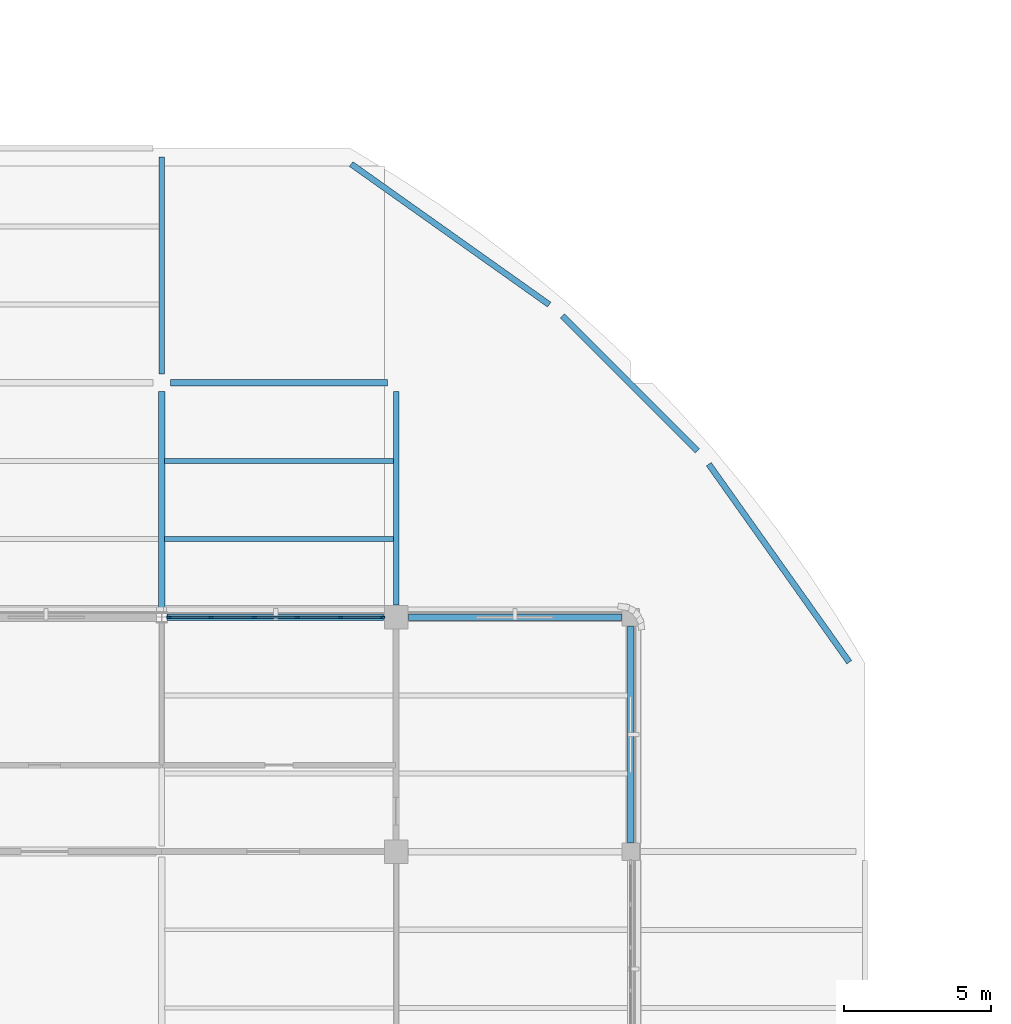
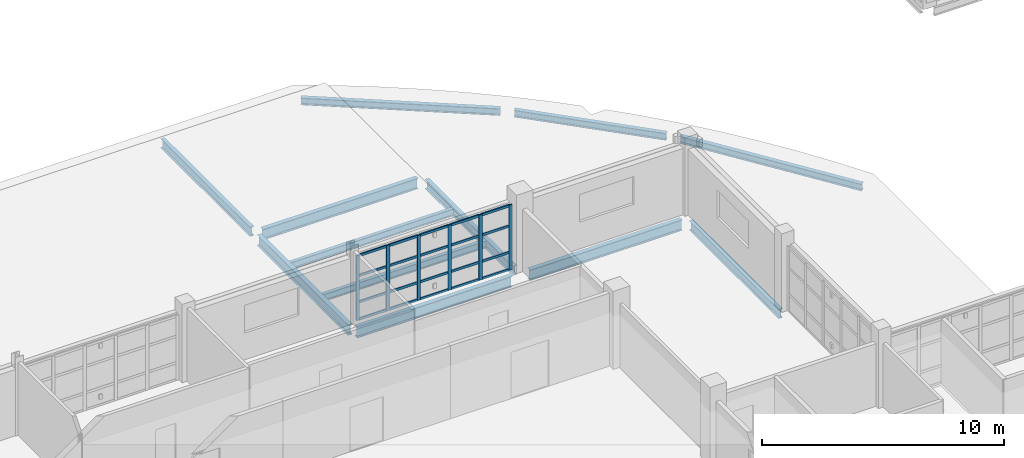
# One storey, part 43 of 126: 26 members, 12 beams, 1 element without a shape of its own.
"""IFC4 building model written with IfcOpenShell, lengths in metres."""

from ifc_helpers import new_model, si_unit, derived_unit, direction, frame, origin, origin_2d, place, context, subcontext, project, spatial, rectangle, i_section, extrude, material, layer, layer_set, material_profile, profile_set, type_object, element, aggregate, save


model = new_model("IFC4")

# Units and contexts
model_context = context("Model", 3, precision=1e-05, world=origin(), true_north=direction((0.0, 1.0)))
body_context = subcontext(model_context, "Body", "Model", "MODEL_VIEW")
ifc_project = project(units=[si_unit("LENGTHUNIT", "METRE"), si_unit("AREAUNIT", "SQUARE_METRE"), si_unit("VOLUMEUNIT", "CUBIC_METRE"), si_unit("PLANEANGLEUNIT", "RADIAN"), si_unit("MASSUNIT", "GRAM", prefix="KILO"), derived_unit("THERMALTRANSMITTANCEUNIT", [(si_unit("MASSUNIT", "GRAM", prefix="KILO"), 1), (si_unit("TIMEUNIT", "SECOND"), -3), (si_unit("THERMODYNAMICTEMPERATUREUNIT", "KELVIN"), -1)])], contexts=[model_context])

# Site, building, storey
site_placement = place(None, origin())
site = spatial("IfcSite", under=ifc_project, at=site_placement, CompositionType="ELEMENT")
building_placement = place(site_placement, origin())
building = spatial("IfcBuilding", under=site, at=building_placement, Name="Veyamyaing Civic Hall", CompositionType="ELEMENT")
storey_placement = place(building_placement, frame((0.0, 0.0, 9.89990234375)))
storey = spatial("IfcBuildingStorey", under=building, at=storey_placement, Name="L02", CompositionType="ELEMENT", Elevation=9.89990234375)

# Beams
ifc_material_1 = material(Name="Steel ASTM A992", Category="steel")
ifc_material_profile_1 = material_profile(ifc_material_1, i_section(OverallWidth=0.2041015625, OverallDepth=0.35009765625, WebThickness=0.0078125, FlangeThickness=0.01513671875, FilletRadius=0.010009765625, at=origin_2d()), Name="W360X72")
ifc_profile_set_1 = profile_set([ifc_material_profile_1], Name="Steel ASTM A992")
beam_type_1 = type_object("IfcBeamType", Name="B-11", PredefinedType="SPANDREL", material=ifc_profile_set_1)
beam_1_placement = place(storey_placement, frame((119.462646484375, 78.46533203125, -0.4599609375), z_axis=(-0.578662285773, 0.815567262109, 0.0), x_axis=(-0.815567262109, -0.578662285773, 0.0)))
element("IfcBeam", 1, at=beam_1_placement, inside=storey, type_object=beam_type_1, Name="Curved corner spandrel B-11 L02 NE.1", PredefinedType="SPANDREL", context=body_context, shape_type="SweptSolid", body=[
    extrude(i_section(OverallWidth=0.2041015625, OverallDepth=0.35009765625, WebThickness=0.0078125, FlangeThickness=0.01513671875, FilletRadius=0.010009765625, at=origin_2d()), origin(), (0.0, 0.0, 1.0), 8.284423828125),
])
beam_2_placement = place(storey_placement, frame((114.282958984375, 85.6787109375, -0.4599609375), z_axis=(-0.707106781187, 0.707106781187, 0.0), x_axis=(-0.707106781187, -0.707106781187, 0.0)))
element("IfcBeam", 2, at=beam_2_placement, inside=storey, type_object=beam_type_1, Name="Curved corner spandrel B-11 L02 NE.2", PredefinedType="SPANDREL", context=body_context, shape_type="SweptSolid", body=[
    extrude(i_section(OverallWidth=0.2041015625, OverallDepth=0.35009765625, WebThickness=0.0078125, FlangeThickness=0.01513671875, FilletRadius=0.010009765625, at=origin_2d()), origin(), (0.0, 0.0, 1.0), 6.511474609375),
])
beam_3_placement = place(storey_placement, frame((109.221923828125, 90.668701171875, -0.4599609375), z_axis=(-0.815567262109, 0.578662285773, 0.0), x_axis=(-0.578662285773, -0.815567262109, 0.0)))
element("IfcBeam", 3, at=beam_3_placement, inside=storey, type_object=beam_type_1, Name="Curved corner spandrel B-11 L02 NE.3", PredefinedType="SPANDREL", context=body_context, shape_type="SweptSolid", body=[
    extrude(i_section(OverallWidth=0.2041015625, OverallDepth=0.35009765625, WebThickness=0.0078125, FlangeThickness=0.01513671875, FilletRadius=0.010009765625, at=origin_2d()), origin(), (0.0, 0.0, 1.0), 8.284423828125),
])
ifc_material_profile_2 = material_profile(ifc_material_1, i_section(OverallWidth=0.214111328125, OverallDepth=0.549072265625, WebThickness=0.0146484375, FlangeThickness=0.023681640625, FilletRadius=0.011962890625, at=origin_2d()), Name="W530X138")
ifc_profile_set_2 = profile_set([ifc_material_profile_2], Name="Steel ASTM A992")
beam_type_2 = type_object("IfcBeamType", Name="B-16", PredefinedType="BEAM", material=ifc_profile_set_2)
beam_4_placement = place(storey_placement, frame((96.18701171875, 80.0, -0.559326171875), z_axis=(1.0, 0.0, 0.0), x_axis=(0.0, 1.0, 0.0)))
element("IfcBeam", 4, at=beam_4_placement, inside=storey, type_object=beam_type_2, Name="Girder B-16 L02 Grid L 13-14", PredefinedType="BEAM", context=body_context, shape_type="SweptSolid", body=[
    extrude(i_section(OverallWidth=0.214111328125, OverallDepth=0.549072265625, WebThickness=0.0146484375, FlangeThickness=0.023681640625, FilletRadius=0.011962890625, at=origin_2d()), origin(), (0.0, 0.0, 1.0), 7.387939453125),
])
ifc_material_profile_3 = material_profile(ifc_material_1, i_section(OverallWidth=0.2109375, OverallDepth=0.5390625, WebThickness=0.01171875, FlangeThickness=0.018798828125, FilletRadius=0.011962890625, at=origin_2d()), Name="W530X109")
ifc_profile_set_3 = profile_set([ifc_material_profile_3], Name="Steel ASTM A992")
beam_type_3 = type_object("IfcBeamType", Name="B-17", PredefinedType="BEAM", material=ifc_profile_set_3)
beam_5_placement = place(storey_placement, frame((104.425048828125, 80.0, -0.554443359375), z_axis=(1.0, 0.0, 0.0), x_axis=(0.0, 1.0, 0.0)))
element("IfcBeam", 5, at=beam_5_placement, inside=storey, type_object=beam_type_3, Name="Girder B-17 L02 Grid L 14-15", PredefinedType="BEAM", context=body_context, shape_type="SweptSolid", body=[
    extrude(i_section(OverallWidth=0.2109375, OverallDepth=0.5390625, WebThickness=0.01171875, FlangeThickness=0.018798828125, FilletRadius=0.011962890625, at=origin_2d()), origin(), (0.0, 0.0, 1.0), 7.27490234375),
])
beam_6_placement = place(storey_placement, frame((96.300048828125, 88.0, -0.509521484375), z_axis=(1.0, 0.0, 0.0), x_axis=(0.0, 1.0, 0.0)))
element("IfcBeam", 6, at=beam_6_placement, inside=storey, type_object=beam_type_3, Name="Girder B-17 L02 Grid M 13-14", PredefinedType="BEAM", context=body_context, shape_type="SweptSolid", body=[
    extrude(i_section(OverallWidth=0.2109375, OverallDepth=0.5390625, WebThickness=0.01171875, FlangeThickness=0.018798828125, FilletRadius=0.011962890625, at=origin_2d()), origin(), (0.0, 0.0, 1.0), 7.39990234375),
])
beam_7_placement = place(storey_placement, frame((96.0, 80.18603515625, -0.509521484375), z_axis=(0.0, 1.0, 0.0), x_axis=(-1.0, 0.0, 0.0)))
element("IfcBeam", 7, at=beam_7_placement, inside=storey, type_object=beam_type_3, Name="Girder B-17 L02 Grid 13 L-M", PredefinedType="BEAM", context=body_context, shape_type="SweptSolid", body=[
    extrude(i_section(OverallWidth=0.2109375, OverallDepth=0.5390625, WebThickness=0.01171875, FlangeThickness=0.018798828125, FilletRadius=0.011962890625, at=origin_2d()), origin(), (0.0, 0.0, 1.0), 7.513916015625),
])
ifc_material_profile_4 = material_profile(ifc_material_1, i_section(OverallWidth=0.194091796875, OverallDepth=0.468994140625, WebThickness=0.0126953125, FlangeThickness=0.0205078125, FilletRadius=0.010009765625, at=origin_2d()), Name="W460X106")
ifc_profile_set_4 = profile_set([ifc_material_profile_4], Name="Steel ASTM A992")
beam_type_4 = type_object("IfcBeamType", Name="B-18", PredefinedType="BEAM", material=ifc_profile_set_4)
beam_8_placement = place(storey_placement, frame((96.0, 88.300048828125, -0.474365234375), z_axis=(0.0, 1.0, 0.0), x_axis=(-1.0, 0.0, 0.0)))
element("IfcBeam", 8, at=beam_8_placement, inside=storey, type_object=beam_type_4, Name="Girder B-18 L02 Grid 13 M-N", PredefinedType="BEAM", context=body_context, shape_type="SweptSolid", body=[
    extrude(i_section(OverallWidth=0.194091796875, OverallDepth=0.468994140625, WebThickness=0.0126953125, FlangeThickness=0.0205078125, FilletRadius=0.010009765625, at=origin_2d()), origin(), (0.0, 0.0, 1.0), 7.39990234375),
])
beam_9_placement = place(storey_placement, frame((104.0, 80.425048828125, -0.474365234375), z_axis=(0.0, 1.0, 0.0), x_axis=(-1.0, 0.0, 0.0)))
element("IfcBeam", 9, at=beam_9_placement, inside=storey, type_object=beam_type_4, Name="Girder B-18 L02 Grid 14 L-M", PredefinedType="BEAM", context=body_context, shape_type="SweptSolid", body=[
    extrude(i_section(OverallWidth=0.194091796875, OverallDepth=0.468994140625, WebThickness=0.0126953125, FlangeThickness=0.0205078125, FilletRadius=0.010009765625, at=origin_2d()), origin(), (0.0, 0.0, 1.0), 7.27490234375),
])
beam_10_placement = place(storey_placement, frame((112.0, 72.300048828125, -0.519287109375), z_axis=(0.0, 1.0, 0.0), x_axis=(-1.0, 0.0, 0.0)))
element("IfcBeam", 10, at=beam_10_placement, inside=storey, type_object=beam_type_4, Name="Girder B-18 L02 Grid 15 K-L", PredefinedType="BEAM", context=body_context, shape_type="SweptSolid", body=[
    extrude(i_section(OverallWidth=0.194091796875, OverallDepth=0.468994140625, WebThickness=0.0126953125, FlangeThickness=0.0205078125, FilletRadius=0.010009765625, at=origin_2d()), origin(), (0.0, 0.0, 1.0), 7.39990234375),
])

# Curtain wall, members
ifc_material_2 = material(Name="Anodised aluminium 6063-T6", Category="aluminium")
ifc_layer = layer(ifc_material_2, 0.159912109375, Name="Anodised aluminium 6063-T6")
ifc_layer_set = layer_set([ifc_layer], Name="Anodised aluminium 6063-T6")
curtain_wall_type = type_object("IfcCurtainWallType", Name="CW-03", PredefinedType="NOTDEFINED", material=ifc_layer_set)
curtain_wall_placement = place(storey_placement, origin())
curtain_wall = element("IfcCurtainWall", 11, at=curtain_wall_placement, inside=storey, type_object=curtain_wall_type, Name="Unitized curtain wall CW-03 L02 N 13.10", PredefinedType="NOTDEFINED")
ifc_material_profile_5 = material_profile(ifc_material_2, rectangle(XDim=0.06494140625, YDim=0.159912109375, at=origin_2d()), Name="ALU-MUL-65X160")
ifc_profile_set_5 = profile_set([ifc_material_profile_5], Name="Anodised aluminium 6063-T6")
member_type_1 = type_object("IfcMemberType", Name="CWM-01", PredefinedType="MULLION", material=ifc_profile_set_5)
member_1_placement = place(storey_placement, frame((96.248046875, 80.0, 0.0), z_axis=(0.0, 0.0, 1.0), x_axis=(0.0, 1.0, 0.0)))
member_1 = element("IfcMember", 12, at=member_1_placement, type_object=member_type_1, Name="CW-03 mullion 1", PredefinedType="MULLION", context=body_context, shape_type="SweptSolid", body=[
    extrude(rectangle(XDim=0.06494140625, YDim=0.159912109375, at=origin_2d()), origin(), (0.0, 0.0, 1.0), 3.280029296875),
])
member_2_placement = place(storey_placement, frame((97.686279296875, 80.0, 0.0), z_axis=(0.0, 0.0, 1.0), x_axis=(0.0, 1.0, 0.0)))
member_2 = element("IfcMember", 13, at=member_2_placement, type_object=member_type_1, Name="CW-03 mullion 2", PredefinedType="MULLION", context=body_context, shape_type="SweptSolid", body=[
    extrude(rectangle(XDim=0.06494140625, YDim=0.159912109375, at=origin_2d()), origin(), (0.0, 0.0, 1.0), 3.280029296875),
])
member_3_placement = place(storey_placement, frame((99.1572265625, 80.0, 0.0), z_axis=(0.0, 0.0, 1.0), x_axis=(0.0, 1.0, 0.0)))
member_3 = element("IfcMember", 14, at=member_3_placement, type_object=member_type_1, Name="CW-03 mullion 3", PredefinedType="MULLION", context=body_context, shape_type="SweptSolid", body=[
    extrude(rectangle(XDim=0.06494140625, YDim=0.159912109375, at=origin_2d()), origin(), (0.0, 0.0, 1.0), 3.280029296875),
])
member_4_placement = place(storey_placement, frame((100.628173828125, 80.0, 0.0), z_axis=(0.0, 0.0, 1.0), x_axis=(0.0, 1.0, 0.0)))
member_4 = element("IfcMember", 15, at=member_4_placement, type_object=member_type_1, Name="CW-03 mullion 4", PredefinedType="MULLION", context=body_context, shape_type="SweptSolid", body=[
    extrude(rectangle(XDim=0.06494140625, YDim=0.159912109375, at=origin_2d()), origin(), (0.0, 0.0, 1.0), 3.280029296875),
])
member_5_placement = place(storey_placement, frame((102.09912109375, 80.0, 0.0), z_axis=(0.0, 0.0, 1.0), x_axis=(0.0, 1.0, 0.0)))
member_5 = element("IfcMember", 16, at=member_5_placement, type_object=member_type_1, Name="CW-03 mullion 5", PredefinedType="MULLION", context=body_context, shape_type="SweptSolid", body=[
    extrude(rectangle(XDim=0.06494140625, YDim=0.159912109375, at=origin_2d()), origin(), (0.0, 0.0, 1.0), 3.280029296875),
])
member_6_placement = place(storey_placement, frame((103.53759765625, 80.0, 0.0), z_axis=(0.0, 0.0, 1.0), x_axis=(0.0, 1.0, 0.0)))
member_6 = element("IfcMember", 17, at=member_6_placement, type_object=member_type_1, Name="CW-03 mullion 6", PredefinedType="MULLION", context=body_context, shape_type="SweptSolid", body=[
    extrude(rectangle(XDim=0.06494140625, YDim=0.159912109375, at=origin_2d()), origin(), (0.0, 0.0, 1.0), 3.280029296875),
])
ifc_material_profile_6 = material_profile(ifc_material_2, rectangle(XDim=0.06494140625, YDim=0.1201171875, at=origin_2d()), Name="ALU-TRN-65X120")
ifc_profile_set_6 = profile_set([ifc_material_profile_6], Name="Anodised aluminium 6063-T6")
member_type_2 = type_object("IfcMemberType", Name="CWT-01", PredefinedType="USERDEFINED", material=ifc_profile_set_6)
member_7_placement = place(storey_placement, frame((96.280517578125, 80.0, 0.03271484375), z_axis=(1.0, 0.0, 0.0), x_axis=(0.0, 1.0, 0.0)))
member_7 = element("IfcMember", 18, at=member_7_placement, type_object=member_type_2, Name="CW-03 transom 1.1", ObjectType="TRANSOM", PredefinedType="USERDEFINED", context=body_context, shape_type="SweptSolid", body=[
    extrude(rectangle(XDim=0.06494140625, YDim=0.1201171875, at=origin_2d()), origin(), (0.0, 0.0, 1.0), 1.373291015625),
])
member_8_placement = place(storey_placement, frame((96.280517578125, 80.0, 0.900146484375), z_axis=(1.0, 0.0, 0.0), x_axis=(0.0, 1.0, 0.0)))
member_8 = element("IfcMember", 19, at=member_8_placement, type_object=member_type_2, Name="CW-03 transom 1.2", ObjectType="TRANSOM", PredefinedType="USERDEFINED", context=body_context, shape_type="SweptSolid", body=[
    extrude(rectangle(XDim=0.06494140625, YDim=0.1201171875, at=origin_2d()), origin(), (0.0, 0.0, 1.0), 1.373291015625),
])
member_9_placement = place(storey_placement, frame((96.280517578125, 80.0, 2.23046875), z_axis=(1.0, 0.0, 0.0), x_axis=(0.0, 1.0, 0.0)))
member_9 = element("IfcMember", 20, at=member_9_placement, type_object=member_type_2, Name="CW-03 transom 1.3", ObjectType="TRANSOM", PredefinedType="USERDEFINED", context=body_context, shape_type="SweptSolid", body=[
    extrude(rectangle(XDim=0.06494140625, YDim=0.1201171875, at=origin_2d()), origin(), (0.0, 0.0, 1.0), 1.373291015625),
])
member_10_placement = place(storey_placement, frame((96.280517578125, 80.0, 3.24755859375), z_axis=(1.0, 0.0, 0.0), x_axis=(0.0, 1.0, 0.0)))
member_10 = element("IfcMember", 21, at=member_10_placement, type_object=member_type_2, Name="CW-03 transom 1.4", ObjectType="TRANSOM", PredefinedType="USERDEFINED", context=body_context, shape_type="SweptSolid", body=[
    extrude(rectangle(XDim=0.06494140625, YDim=0.1201171875, at=origin_2d()), origin(), (0.0, 0.0, 1.0), 1.373291015625),
])
member_11_placement = place(storey_placement, frame((97.718994140625, 80.0, 0.03271484375), z_axis=(1.0, 0.0, 0.0), x_axis=(0.0, 1.0, 0.0)))
member_11 = element("IfcMember", 22, at=member_11_placement, type_object=member_type_2, Name="CW-03 transom 2.1", ObjectType="TRANSOM", PredefinedType="USERDEFINED", context=body_context, shape_type="SweptSolid", body=[
    extrude(rectangle(XDim=0.06494140625, YDim=0.1201171875, at=origin_2d()), origin(), (0.0, 0.0, 1.0), 1.40576171875),
])
member_12_placement = place(storey_placement, frame((97.718994140625, 80.0, 0.900146484375), z_axis=(1.0, 0.0, 0.0), x_axis=(0.0, 1.0, 0.0)))
member_12 = element("IfcMember", 23, at=member_12_placement, type_object=member_type_2, Name="CW-03 transom 2.2", ObjectType="TRANSOM", PredefinedType="USERDEFINED", context=body_context, shape_type="SweptSolid", body=[
    extrude(rectangle(XDim=0.06494140625, YDim=0.1201171875, at=origin_2d()), origin(), (0.0, 0.0, 1.0), 1.40576171875),
])
member_13_placement = place(storey_placement, frame((97.718994140625, 80.0, 2.23046875), z_axis=(1.0, 0.0, 0.0), x_axis=(0.0, 1.0, 0.0)))
member_13 = element("IfcMember", 24, at=member_13_placement, type_object=member_type_2, Name="CW-03 transom 2.3", ObjectType="TRANSOM", PredefinedType="USERDEFINED", context=body_context, shape_type="SweptSolid", body=[
    extrude(rectangle(XDim=0.06494140625, YDim=0.1201171875, at=origin_2d()), origin(), (0.0, 0.0, 1.0), 1.40576171875),
])
member_14_placement = place(storey_placement, frame((97.718994140625, 80.0, 3.24755859375), z_axis=(1.0, 0.0, 0.0), x_axis=(0.0, 1.0, 0.0)))
member_14 = element("IfcMember", 25, at=member_14_placement, type_object=member_type_2, Name="CW-03 transom 2.4", ObjectType="TRANSOM", PredefinedType="USERDEFINED", context=body_context, shape_type="SweptSolid", body=[
    extrude(rectangle(XDim=0.06494140625, YDim=0.1201171875, at=origin_2d()), origin(), (0.0, 0.0, 1.0), 1.40576171875),
])
member_15_placement = place(storey_placement, frame((99.189697265625, 80.0, 0.03271484375), z_axis=(1.0, 0.0, 0.0), x_axis=(0.0, 1.0, 0.0)))
member_15 = element("IfcMember", 26, at=member_15_placement, type_object=member_type_2, Name="CW-03 transom 3.1", ObjectType="TRANSOM", PredefinedType="USERDEFINED", context=body_context, shape_type="SweptSolid", body=[
    extrude(rectangle(XDim=0.06494140625, YDim=0.1201171875, at=origin_2d()), origin(), (0.0, 0.0, 1.0), 1.406005859375),
])
member_16_placement = place(storey_placement, frame((99.189697265625, 80.0, 0.900146484375), z_axis=(1.0, 0.0, 0.0), x_axis=(0.0, 1.0, 0.0)))
member_16 = element("IfcMember", 27, at=member_16_placement, type_object=member_type_2, Name="CW-03 transom 3.2", ObjectType="TRANSOM", PredefinedType="USERDEFINED", context=body_context, shape_type="SweptSolid", body=[
    extrude(rectangle(XDim=0.06494140625, YDim=0.1201171875, at=origin_2d()), origin(), (0.0, 0.0, 1.0), 1.406005859375),
])
member_17_placement = place(storey_placement, frame((99.189697265625, 80.0, 2.23046875), z_axis=(1.0, 0.0, 0.0), x_axis=(0.0, 1.0, 0.0)))
member_17 = element("IfcMember", 28, at=member_17_placement, type_object=member_type_2, Name="CW-03 transom 3.3", ObjectType="TRANSOM", PredefinedType="USERDEFINED", context=body_context, shape_type="SweptSolid", body=[
    extrude(rectangle(XDim=0.06494140625, YDim=0.1201171875, at=origin_2d()), origin(), (0.0, 0.0, 1.0), 1.406005859375),
])
member_18_placement = place(storey_placement, frame((99.189697265625, 80.0, 3.24755859375), z_axis=(1.0, 0.0, 0.0), x_axis=(0.0, 1.0, 0.0)))
member_18 = element("IfcMember", 29, at=member_18_placement, type_object=member_type_2, Name="CW-03 transom 3.4", ObjectType="TRANSOM", PredefinedType="USERDEFINED", context=body_context, shape_type="SweptSolid", body=[
    extrude(rectangle(XDim=0.06494140625, YDim=0.1201171875, at=origin_2d()), origin(), (0.0, 0.0, 1.0), 1.406005859375),
])
member_19_placement = place(storey_placement, frame((100.66064453125, 80.0, 0.03271484375), z_axis=(1.0, 0.0, 0.0), x_axis=(0.0, 1.0, 0.0)))
member_19 = element("IfcMember", 30, at=member_19_placement, type_object=member_type_2, Name="CW-03 transom 4.1", ObjectType="TRANSOM", PredefinedType="USERDEFINED", context=body_context, shape_type="SweptSolid", body=[
    extrude(rectangle(XDim=0.06494140625, YDim=0.1201171875, at=origin_2d()), origin(), (0.0, 0.0, 1.0), 1.406005859375),
])
member_20_placement = place(storey_placement, frame((100.66064453125, 80.0, 0.900146484375), z_axis=(1.0, 0.0, 0.0), x_axis=(0.0, 1.0, 0.0)))
member_20 = element("IfcMember", 31, at=member_20_placement, type_object=member_type_2, Name="CW-03 transom 4.2", ObjectType="TRANSOM", PredefinedType="USERDEFINED", context=body_context, shape_type="SweptSolid", body=[
    extrude(rectangle(XDim=0.06494140625, YDim=0.1201171875, at=origin_2d()), origin(), (0.0, 0.0, 1.0), 1.406005859375),
])
member_21_placement = place(storey_placement, frame((100.66064453125, 80.0, 2.23046875), z_axis=(1.0, 0.0, 0.0), x_axis=(0.0, 1.0, 0.0)))
member_21 = element("IfcMember", 32, at=member_21_placement, type_object=member_type_2, Name="CW-03 transom 4.3", ObjectType="TRANSOM", PredefinedType="USERDEFINED", context=body_context, shape_type="SweptSolid", body=[
    extrude(rectangle(XDim=0.06494140625, YDim=0.1201171875, at=origin_2d()), origin(), (0.0, 0.0, 1.0), 1.406005859375),
])
member_22_placement = place(storey_placement, frame((100.66064453125, 80.0, 3.24755859375), z_axis=(1.0, 0.0, 0.0), x_axis=(0.0, 1.0, 0.0)))
member_22 = element("IfcMember", 33, at=member_22_placement, type_object=member_type_2, Name="CW-03 transom 4.4", ObjectType="TRANSOM", PredefinedType="USERDEFINED", context=body_context, shape_type="SweptSolid", body=[
    extrude(rectangle(XDim=0.06494140625, YDim=0.1201171875, at=origin_2d()), origin(), (0.0, 0.0, 1.0), 1.406005859375),
])
member_23_placement = place(storey_placement, frame((102.131591796875, 80.0, 0.03271484375), z_axis=(1.0, 0.0, 0.0), x_axis=(0.0, 1.0, 0.0)))
member_23 = element("IfcMember", 34, at=member_23_placement, type_object=member_type_2, Name="CW-03 transom 5.1", ObjectType="TRANSOM", PredefinedType="USERDEFINED", context=body_context, shape_type="SweptSolid", body=[
    extrude(rectangle(XDim=0.06494140625, YDim=0.1201171875, at=origin_2d()), origin(), (0.0, 0.0, 1.0), 1.373291015625),
])
member_24_placement = place(storey_placement, frame((102.131591796875, 80.0, 0.900146484375), z_axis=(1.0, 0.0, 0.0), x_axis=(0.0, 1.0, 0.0)))
member_24 = element("IfcMember", 35, at=member_24_placement, type_object=member_type_2, Name="CW-03 transom 5.2", ObjectType="TRANSOM", PredefinedType="USERDEFINED", context=body_context, shape_type="SweptSolid", body=[
    extrude(rectangle(XDim=0.06494140625, YDim=0.1201171875, at=origin_2d()), origin(), (0.0, 0.0, 1.0), 1.373291015625),
])
member_25_placement = place(storey_placement, frame((102.131591796875, 80.0, 2.23046875), z_axis=(1.0, 0.0, 0.0), x_axis=(0.0, 1.0, 0.0)))
member_25 = element("IfcMember", 36, at=member_25_placement, type_object=member_type_2, Name="CW-03 transom 5.3", ObjectType="TRANSOM", PredefinedType="USERDEFINED", context=body_context, shape_type="SweptSolid", body=[
    extrude(rectangle(XDim=0.06494140625, YDim=0.1201171875, at=origin_2d()), origin(), (0.0, 0.0, 1.0), 1.373291015625),
])
member_26_placement = place(storey_placement, frame((102.131591796875, 80.0, 3.24755859375), z_axis=(1.0, 0.0, 0.0), x_axis=(0.0, 1.0, 0.0)))
member_26 = element("IfcMember", 37, at=member_26_placement, type_object=member_type_2, Name="CW-03 transom 5.4", ObjectType="TRANSOM", PredefinedType="USERDEFINED", context=body_context, shape_type="SweptSolid", body=[
    extrude(rectangle(XDim=0.06494140625, YDim=0.1201171875, at=origin_2d()), origin(), (0.0, 0.0, 1.0), 1.373291015625),
])
aggregate(curtain_wall, [member_1, member_2, member_3, member_4, member_5, member_6, member_7, member_8, member_9, member_10, member_11, member_12, member_13, member_14, member_15, member_16, member_17, member_18, member_19, member_20, member_21, member_22, member_23, member_24, member_25, member_26])

# Beams
ifc_material_profile_7 = material_profile(ifc_material_1, i_section(OverallWidth=0.172119140625, OverallDepth=0.35791015625, WebThickness=0.0078125, FlangeThickness=0.01318359375, FilletRadius=0.010009765625, at=origin_2d()), Name="W360X57")
ifc_profile_set_7 = profile_set([ifc_material_profile_7], Name="Steel ASTM A992")
beam_type_5 = type_object("IfcBeamType", Name="J-02", PredefinedType="JOIST", material=ifc_profile_set_7)
for number, where, z_axis, x_axis, name in (
    (38, (96.103515625, 82.666748046875, -0.4189453125), (1.0, 0.0, 0.0), (0.0, 1.0, 0.0), "Composite floor joist J-02 L02 13.11.1"),
    (39, (96.103515625, 85.333251953125, -0.4189453125), (1.0, 0.0, 0.0), (0.0, 1.0, 0.0), "Composite floor joist J-02 L02 13.11.2"),
):
    element("IfcBeam", number, at=place(storey_placement, frame(where, z_axis=z_axis, x_axis=x_axis)), inside=storey, type_object=beam_type_5, Name=name, PredefinedType="JOIST", context=body_context, shape_type="SweptSolid", body=[
        extrude(i_section(OverallWidth=0.172119140625, OverallDepth=0.35791015625, WebThickness=0.0078125, FlangeThickness=0.01318359375, FilletRadius=0.010009765625, at=origin_2d()), origin(), (0.0, 0.0, 1.0), 7.801513671875),
    ])

save(model, "model.ifc")
